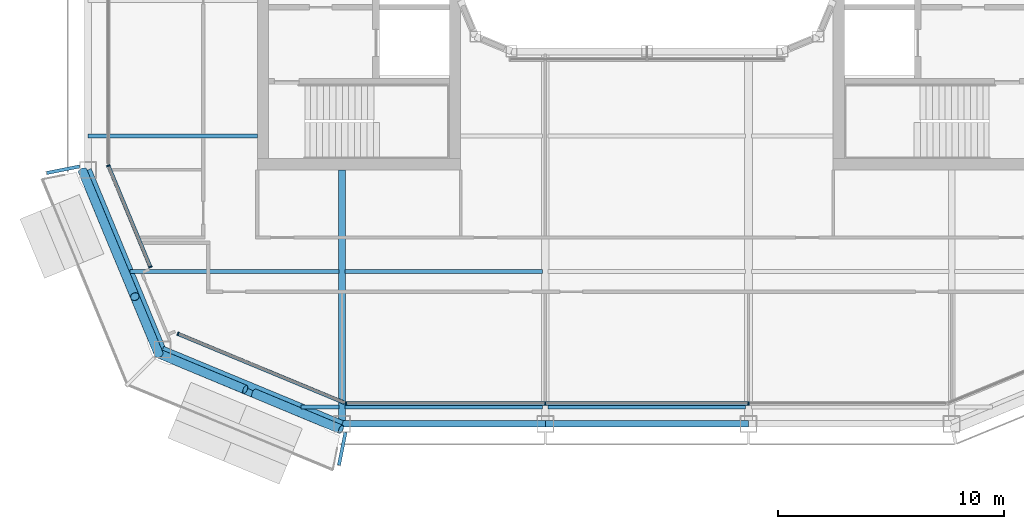
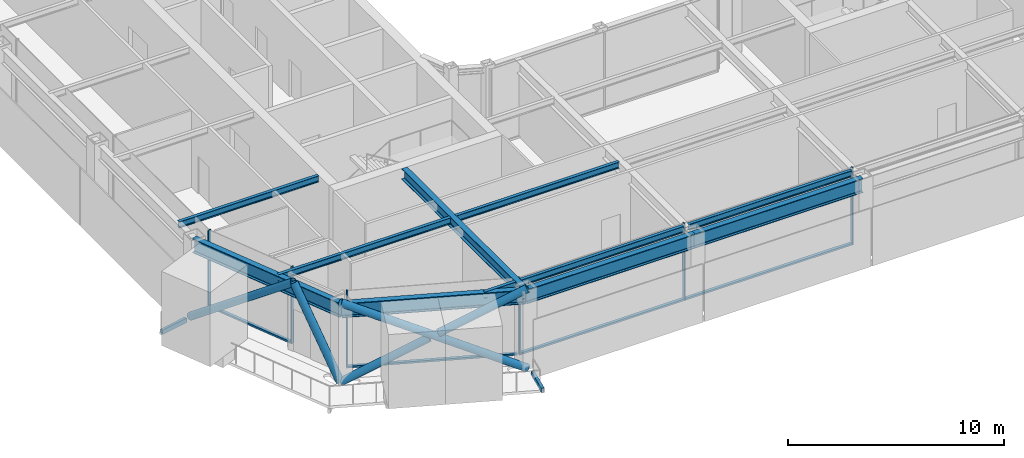
# One storey, part 2 of 20: 15 members, 13 beams, 3 elements without a shape of their own.
"""IFC4 building model written with IfcOpenShell, lengths in metres."""

from ifc_helpers import new_model, si_unit, direction, frame, origin, origin_2d, place, context, subcontext, project, spatial, rectangle, hollow_rectangle, hollow_circle, i_section, extrude, material, layer, layer_set, material_profile, profile_set, type_object, element, aggregate, save


model = new_model("IFC4")

# Units and contexts
model_context = context("Model", 3, precision=1e-05, world=origin(), true_north=direction((0.0, 1.0)))
body_context = subcontext(model_context, "Body", "Model", "MODEL_VIEW")
ifc_project = project(units=[si_unit("LENGTHUNIT", "METRE"), si_unit("AREAUNIT", "SQUARE_METRE"), si_unit("VOLUMEUNIT", "CUBIC_METRE"), si_unit("PLANEANGLEUNIT", "RADIAN"), si_unit("MASSUNIT", "GRAM", prefix="KILO")], contexts=[model_context])

# Site, building, storey
site_placement = place(None, origin())
site = spatial("IfcSite", under=ifc_project, at=site_placement, CompositionType="ELEMENT")
building_placement = place(site_placement, origin())
building = spatial("IfcBuilding", under=site, at=building_placement, Name="Siwar Civic Tower", CompositionType="ELEMENT")
storey_placement = place(building_placement, frame((0.0, 0.0, 316.699951171875)))
storey = spatial("IfcBuildingStorey", under=building, at=storey_placement, Name="L68", CompositionType="ELEMENT", Elevation=316.699951171875)

# Beams
ifc_material_1 = material(Name="Steel S355", Category="steel")
ifc_material_profile_1 = material_profile(ifc_material_1, hollow_rectangle(XDim=0.14990234375, YDim=0.25, WallThickness=0.010009765625, at=origin_2d()), Name="RHS250x150x10")
ifc_profile_set_1 = profile_set([ifc_material_profile_1], Name="Steel S355")
beam_type_1 = type_object("IfcBeamType", Name="ENV-BALCONY ARM", PredefinedType="BEAM", material=ifc_profile_set_1)
for number, where, z_axis, x_axis, name in (
    (1, (-25.125, -13.350341796875, -0.27490234375), (-0.980800841714, -0.195012073712, 0.0), (0.195012073712, -0.980800841714, 0.0), "Balcony cantilever beam SW 1"),
    (2, (-13.350341796875, -25.125, -0.27490234375), (-0.195012073712, -0.980800841714, 0.0), (0.980800841714, -0.195012073712, 0.0), "Balcony cantilever beam SW 3"),
):
    element("IfcBeam", number, at=place(storey_placement, frame(where, z_axis=z_axis, x_axis=x_axis)), inside=storey, type_object=beam_type_1, Name=name, PredefinedType="BEAM", context=body_context, shape_type="SweptSolid", body=[
        extrude(hollow_rectangle(XDim=0.14990234375, YDim=0.25, WallThickness=0.010009765625, at=origin_2d()), origin(), (0.0, 0.0, 1.0), 1.488525390625),
    ])

# Curtain wall, members
ifc_material_2 = material(Name="Aluminium and glass", Category="aluminium")
ifc_layer_1 = layer(ifc_material_2, 0.159912109375)
ifc_layer_set_1 = layer_set([ifc_layer_1], Name="Aluminium and glass")
curtain_wall_type_1 = type_object("IfcCurtainWallType", Name="ENV-CW-D", PredefinedType="NOTDEFINED", material=ifc_layer_set_1)
curtain_wall_1_placement = place(storey_placement, origin())
curtain_wall_1 = element("IfcCurtainWall", 3, at=curtain_wall_1_placement, inside=storey, type_object=curtain_wall_type_1, Name="Curtain wall D S", PredefinedType="NOTDEFINED")
ifc_material_3 = material(Name="Aluminium 6063-T6", Category="aluminium")
ifc_material_profile_2 = material_profile(ifc_material_3, rectangle(XDim=0.159912109375, YDim=0.06005859375, at=origin_2d()), Name="AL 160x60")
ifc_profile_set_2 = profile_set([ifc_material_profile_2], Name="Aluminium 6063-T6")
member_type_1 = type_object("IfcMemberType", Name="ENV-MULLION-D", PredefinedType="MULLION", material=ifc_profile_set_2)
member_1_placement = place(storey_placement, frame((-13.321044921875, -23.85009765625, 0.0), z_axis=(0.0, 0.0, 1.0), x_axis=(0.0, 1.0, 0.0)))
member_1 = element("IfcMember", 4, at=member_1_placement, type_object=member_type_1, Name="Mullion D S 1", PredefinedType="MULLION", context=body_context, shape_type="SweptSolid", body=[
    extrude(rectangle(XDim=0.159912109375, YDim=0.06005859375, at=origin_2d()), origin(), (0.0, 0.0, 1.0), 4.35009765625),
])
member_2_placement = place(storey_placement, frame((-4.5, -23.85009765625, 0.0), z_axis=(0.0, 0.0, 1.0), x_axis=(0.0, 1.0, 0.0)))
member_2 = element("IfcMember", 5, at=member_2_placement, type_object=member_type_1, Name="Mullion D S 2", PredefinedType="MULLION", context=body_context, shape_type="SweptSolid", body=[
    extrude(rectangle(XDim=0.159912109375, YDim=0.06005859375, at=origin_2d()), origin(), (0.0, 0.0, 1.0), 4.35009765625),
])
member_3_placement = place(storey_placement, frame((4.5, -23.85009765625, 0.0), z_axis=(0.0, 0.0, 1.0), x_axis=(0.0, 1.0, 0.0)))
member_3 = element("IfcMember", 6, at=member_3_placement, type_object=member_type_1, Name="Mullion D S 3", PredefinedType="MULLION", context=body_context, shape_type="SweptSolid", body=[
    extrude(rectangle(XDim=0.159912109375, YDim=0.06005859375, at=origin_2d()), origin(), (0.0, 0.0, 1.0), 4.35009765625),
])

ifc_material_4 = material(Name="Aluminium clad insulated panel", Category="aluminium")
ifc_layer_2 = layer(ifc_material_4, 0.159912109375)
ifc_layer_set_2 = layer_set([ifc_layer_2], Name="Aluminium clad insulated panel")
curtain_wall_type_2 = type_object("IfcCurtainWallType", Name="ENV-CW-DX", PredefinedType="NOTDEFINED", material=ifc_layer_set_2)
curtain_wall_2_placement = place(storey_placement, origin())
curtain_wall_2 = element("IfcCurtainWall", 7, at=curtain_wall_2_placement, inside=storey, type_object=curtain_wall_type_2, Name="Curtain wall D SW1", PredefinedType="NOTDEFINED")
member_4_placement = place(storey_placement, frame((-23.85009765625, -13.321044921875, 0.0), z_axis=(0.0, 0.0, 1.0), x_axis=(0.923879532511, 0.382683432365, 0.0)))
member_4 = element("IfcMember", 8, at=member_4_placement, type_object=member_type_1, Name="Mullion D SW1 1", PredefinedType="MULLION", context=body_context, shape_type="SweptSolid", body=[
    extrude(rectangle(XDim=0.159912109375, YDim=0.06005859375, at=origin_2d()), origin(), (0.0, 0.0, 1.0), 4.35009765625),
])
member_5_placement = place(storey_placement, frame((-21.9951171875, -17.799072265625, 0.0), z_axis=(0.0, 0.0, 1.0), x_axis=(0.923879532511, 0.382683432365, 0.0)))
member_5 = element("IfcMember", 9, at=member_5_placement, type_object=member_type_1, Name="Mullion D SW1 2", PredefinedType="MULLION", context=body_context, shape_type="SweptSolid", body=[
    extrude(rectangle(XDim=0.159912109375, YDim=0.06005859375, at=origin_2d()), origin(), (0.0, 0.0, 1.0), 4.35009765625),
])

# Curtain wall, member
curtain_wall_3_placement = place(storey_placement, origin())
curtain_wall_3 = element("IfcCurtainWall", 10, at=curtain_wall_3_placement, inside=storey, type_object=curtain_wall_type_2, Name="Curtain wall D SW2", PredefinedType="NOTDEFINED")
member_6_placement = place(storey_placement, frame((-20.76611328125, -20.76611328125, 0.0), z_axis=(0.0, 0.0, 1.0), x_axis=(0.382683432365, 0.923879532511, 0.0)))
member_6 = element("IfcMember", 11, at=member_6_placement, type_object=member_type_1, Name="Mullion D SW2 1", PredefinedType="MULLION", context=body_context, shape_type="SweptSolid", body=[
    extrude(rectangle(XDim=0.159912109375, YDim=0.06005859375, at=origin_2d()), origin(), (0.0, 0.0, 1.0), 4.35009765625),
])

# Member
ifc_material_5 = material(Name="Aluminium 6063-T6", Category="aluminium")
ifc_material_profile_3 = material_profile(ifc_material_5, rectangle(XDim=0.159912109375, YDim=0.10009765625, at=origin_2d()), Name="AL 160x100")
ifc_profile_set_3 = profile_set([ifc_material_profile_3], Name="Aluminium 6063-T6")
member_type_2 = type_object("IfcMemberType", Name="ENV-TRANSOM-D", PredefinedType="USERDEFINED", material=ifc_profile_set_3)
member_7_placement = place(storey_placement, frame((-13.291015625, -23.85009765625, 0.050048828125), z_axis=(1.0, 0.0, 0.0), x_axis=(0.0, 1.0, 0.0)))
member_7 = element("IfcMember", 12, at=member_7_placement, type_object=member_type_2, Name="Transom D S 1", ObjectType="TRANSOM", PredefinedType="USERDEFINED", context=body_context, shape_type="SweptSolid", body=[
    extrude(rectangle(XDim=0.159912109375, YDim=0.10009765625, at=origin_2d()), origin(), (0.0, 0.0, 1.0), 8.760986328125),
])

member_8_placement = place(storey_placement, frame((-4.469970703125, -23.85009765625, 0.050048828125), z_axis=(1.0, 0.0, 0.0), x_axis=(0.0, 1.0, 0.0)))
member_8 = element("IfcMember", 13, at=member_8_placement, type_object=member_type_2, Name="Transom D S 2", ObjectType="TRANSOM", PredefinedType="USERDEFINED", context=body_context, shape_type="SweptSolid", body=[
    extrude(rectangle(XDim=0.159912109375, YDim=0.10009765625, at=origin_2d()), origin(), (0.0, 0.0, 1.0), 8.93994140625),
])

aggregate(curtain_wall_1, [member_1, member_2, member_3, member_7, member_8])

member_9_placement = place(storey_placement, frame((-23.838623046875, -13.3486328125, 0.050048828125), z_axis=(0.382688094537, -0.923877601363, 0.0), x_axis=(0.923877601363, 0.382688094537, 0.0)))
member_9 = element("IfcMember", 14, at=member_9_placement, type_object=member_type_2, Name="Transom D SW1 1", ObjectType="TRANSOM", PredefinedType="USERDEFINED", context=body_context, shape_type="SweptSolid", body=[
    extrude(rectangle(XDim=0.159912109375, YDim=0.10009765625, at=origin_2d()), origin(), (0.0, 0.0, 1.0), 4.787353515625),
])

aggregate(curtain_wall_2, [member_4, member_5, member_9])

member_10_placement = place(storey_placement, frame((-20.738525390625, -20.777587890625, 0.050048828125), z_axis=(0.923883640343, -0.382673515031, 0.0), x_axis=(0.382673515031, 0.923883640343, 0.0)))
member_10 = element("IfcMember", 15, at=member_10_placement, type_object=member_type_2, Name="Transom D SW2 1", ObjectType="TRANSOM", PredefinedType="USERDEFINED", context=body_context, shape_type="SweptSolid", body=[
    extrude(rectangle(XDim=0.159912109375, YDim=0.10009765625, at=origin_2d()), origin(), (0.0, 0.0, 1.0), 7.930908203125),
])

aggregate(curtain_wall_3, [member_6, member_10])

# Members
ifc_material_6 = material(Name="Steel S355", Category="steel")
ifc_material_profile_4 = material_profile(ifc_material_6, hollow_circle(Radius=0.203125, WallThickness=0.01611328125, at=origin_2d()), Name="CHS406.4x16")
ifc_profile_set_4 = profile_set([ifc_material_profile_4], Name="Steel S355")
member_type_3 = type_object("IfcMemberType", Name="STR-BR-CHS406.4x16", PredefinedType="BRACE", material=ifc_profile_set_4)
member_11_placement = place(storey_placement, frame((-13.548828125, -24.9951171875, 0.0), z_axis=(-0.821142553604, 0.341671493852, 0.457149315816), x_axis=(-0.384163874976, -0.923264922524, 0.0)))
element("IfcMember", 16, at=member_11_placement, inside=storey, type_object=member_type_3, Name="L68/brc/DSW1-7-0-1", PredefinedType="BRACE", context=body_context, shape_type="SweptSolid", body=[
    extrude(hollow_circle(Radius=0.203125, WallThickness=0.01611328125, at=origin_2d()), origin(), (0.0, 0.0, 1.0), 9.843505859375),
])
member_12_placement = place(storey_placement, frame((-21.6318359375, -21.6318359375, 0.0), z_axis=(0.821147096886, -0.341644380467, 0.457161418507), x_axis=(0.38413607648, 0.923276488787, 0.0)))
element("IfcMember", 17, at=member_12_placement, inside=storey, type_object=member_type_3, Name="L68/brc/DSW1-7-0-2", PredefinedType="BRACE", context=body_context, shape_type="SweptSolid", body=[
    extrude(hollow_circle(Radius=0.203125, WallThickness=0.01611328125, at=origin_2d()), origin(), (0.0, 0.0, 1.0), 4.677001953125),
])
member_13_placement = place(storey_placement, frame((-17.38916015625, -23.397216796875, 2.362060546875), z_axis=(0.821149689876, -0.341667178655, 0.457139722456), x_axis=(0.384156893273, 0.923267827529, 0.0)))
element("IfcMember", 18, at=member_13_placement, inside=storey, type_object=member_type_3, Name="L68/brc/DSW1-7-0-3", PredefinedType="BRACE", context=body_context, shape_type="SweptSolid", body=[
    extrude(hollow_circle(Radius=0.203125, WallThickness=0.01611328125, at=origin_2d()), origin(), (0.0, 0.0, 1.0), 4.6767578125),
])
member_14_placement = place(storey_placement, frame((-24.9951171875, -13.548828125, 0.0), z_axis=(0.307903068035, -0.739973158344, 0.598026275029), x_axis=(0.923262455747, 0.384169803352, 0.0)))
element("IfcMember", 19, at=member_14_placement, inside=storey, type_object=member_type_3, Name="L68/brc/DSW1-7-0-0", PredefinedType="BRACE", context=body_context, shape_type="SweptSolid", body=[
    extrude(hollow_circle(Radius=0.203125, WallThickness=0.01611328125, at=origin_2d()), origin(), (0.0, 0.0, 1.0), 7.524658203125),
])
member_15_placement = place(storey_placement, frame((-21.6318359375, -21.6318359375, 0.0), z_axis=(-0.198925611165, 0.478099094869, 0.855482236349), x_axis=(-0.92327038402, -0.384150749045, 0.0)))
element("IfcMember", 20, at=member_15_placement, inside=storey, type_object=member_type_3, Name="L68/brc/DSW1-7-0-6", PredefinedType="BRACE", context=body_context, shape_type="SweptSolid", body=[
    extrude(hollow_circle(Radius=0.203125, WallThickness=0.01611328125, at=origin_2d()), origin(), (0.0, 0.0, 1.0), 5.26025390625),
])

# Beams
ifc_material_7 = material(Name="Steel S355", Category="steel")
ifc_material_profile_5 = material_profile(ifc_material_7, i_section(OverallWidth=0.169921875, OverallDepth=0.360107421875, WebThickness=0.008056640625, FlangeThickness=0.0126953125, FilletRadius=0.01806640625, at=origin_2d()), Name="IPE360")
ifc_profile_set_5 = profile_set([ifc_material_profile_5], Name="Steel S355")
beam_type_2 = type_object("IfcBeamType", Name="STR-FB-IPE360", PredefinedType="JOIST", material=ifc_profile_set_5)
beam_1_placement = place(storey_placement, frame((-15.310546875, -24.0, 4.170166015625), z_axis=(1.0, 0.0, 0.0), x_axis=(0.0, 1.0, 0.0)))
element("IfcBeam", 21, at=beam_1_placement, inside=storey, type_object=beam_type_2, Name="L68/bm/F001", PredefinedType="JOIST", context=body_context, shape_type="SweptSolid", body=[
    extrude(i_section(OverallWidth=0.169921875, OverallDepth=0.360107421875, WebThickness=0.008056640625, FlangeThickness=0.0126953125, FilletRadius=0.01806640625, at=origin_2d()), origin(), (0.0, 0.0, 1.0), 1.6806640625),
])
for number, where, z_axis, x_axis, name in (
    (22, (-13.3701171875, -24.0, 4.170166015625), (1.0, 0.0, 0.0), (0.0, 1.0, 0.0), "L68/bm/F002"),
    (23, (-4.3701171875, -24.0, 4.170166015625), (1.0, 0.0, 0.0), (0.0, 1.0, 0.0), "L68/bm/F003"),
):
    element("IfcBeam", number, at=place(storey_placement, frame(where, z_axis=z_axis, x_axis=x_axis)), inside=storey, type_object=beam_type_2, Name=name, PredefinedType="JOIST", context=body_context, shape_type="SweptSolid", body=[
        extrude(i_section(OverallWidth=0.169921875, OverallDepth=0.360107421875, WebThickness=0.008056640625, FlangeThickness=0.0126953125, FilletRadius=0.01806640625, at=origin_2d()), origin(), (0.0, 0.0, 1.0), 8.740234375),
    ])
beam_2_placement = place(storey_placement, frame((-22.885986328125, -18.0, 4.170166015625), z_axis=(1.0, 0.0, 0.0), x_axis=(0.0, 1.0, 0.0)))
element("IfcBeam", 24, at=beam_2_placement, inside=storey, type_object=beam_type_2, Name="L68/bm/F006", PredefinedType="JOIST", context=body_context, shape_type="SweptSolid", body=[
    extrude(i_section(OverallWidth=0.169921875, OverallDepth=0.360107421875, WebThickness=0.008056640625, FlangeThickness=0.0126953125, FilletRadius=0.01806640625, at=origin_2d()), origin(), (0.0, 0.0, 1.0), 9.256103515625),
])
beam_3_placement = place(storey_placement, frame((-13.3701171875, -18.0, 4.170166015625), z_axis=(1.0, 0.0, 0.0), x_axis=(0.0, 1.0, 0.0)))
element("IfcBeam", 25, at=beam_3_placement, inside=storey, type_object=beam_type_2, Name="L68/bm/F007", PredefinedType="JOIST", context=body_context, shape_type="SweptSolid", body=[
    extrude(i_section(OverallWidth=0.169921875, OverallDepth=0.360107421875, WebThickness=0.008056640625, FlangeThickness=0.0126953125, FilletRadius=0.01806640625, at=origin_2d()), origin(), (0.0, 0.0, 1.0), 8.740234375),
])
beam_4_placement = place(storey_placement, frame((-24.75, -12.0, 4.170166015625), z_axis=(1.0, 0.0, 0.0), x_axis=(0.0, 1.0, 0.0)))
element("IfcBeam", 26, at=beam_4_placement, inside=storey, type_object=beam_type_2, Name="L68/bm/F011", PredefinedType="JOIST", context=body_context, shape_type="SweptSolid", body=[
    extrude(i_section(OverallWidth=0.169921875, OverallDepth=0.360107421875, WebThickness=0.008056640625, FlangeThickness=0.0126953125, FilletRadius=0.01806640625, at=origin_2d()), origin(), (0.0, 0.0, 1.0), 7.5),
])
ifc_material_8 = material(Name="Steel S355", Category="steel")
ifc_material_profile_6 = material_profile(ifc_material_8, i_section(OverallWidth=0.300048828125, OverallDepth=0.60009765625, WebThickness=0.015380859375, FlangeThickness=0.030029296875, FilletRadius=0.027099609375, at=origin_2d()), Name="HEB600")
ifc_profile_set_6 = profile_set([ifc_material_profile_6], Name="Steel S355")
beam_type_3 = type_object("IfcBeamType", Name="STR-PG-HEB600", PredefinedType="BEAM", material=ifc_profile_set_6)
beam_5_placement = place(storey_placement, frame((-13.5, -24.75, 4.050048828125), z_axis=(0.0, 1.0, 0.0), x_axis=(-1.0, 0.0, 0.0)))
element("IfcBeam", 27, at=beam_5_placement, inside=storey, type_object=beam_type_3, Name="L68/bm/G01", PredefinedType="BEAM", context=body_context, shape_type="SweptSolid", body=[
    extrude(i_section(OverallWidth=0.300048828125, OverallDepth=0.60009765625, WebThickness=0.015380859375, FlangeThickness=0.030029296875, FilletRadius=0.027099609375, at=origin_2d()), origin(), (0.0, 0.0, 1.0), 11.25),
])
ifc_material_9 = material(Name="Steel S355", Category="steel")
ifc_material_profile_7 = material_profile(ifc_material_9, i_section(OverallWidth=0.300048828125, OverallDepth=0.800048828125, WebThickness=0.017578125, FlangeThickness=0.032958984375, FilletRadius=0.030029296875, at=origin_2d()), Name="HEB800")
ifc_profile_set_7 = profile_set([ifc_material_profile_7], Name="Steel S355")
beam_type_4 = type_object("IfcBeamType", Name="STR-SB-HEB800", PredefinedType="BEAM", material=ifc_profile_set_7)
for number, where, z_axis, x_axis, name in (
    (28, (-13.5, -24.75, 3.949951171875), (1.0, 0.0, 0.0), (0.0, 1.0, 0.0), "L68/bm/SS-0"),
    (29, (-4.5, -24.75, 3.949951171875), (1.0, 0.0, 0.0), (0.0, 1.0, 0.0), "L68/bm/SS-1"),
):
    element("IfcBeam", number, at=place(storey_placement, frame(where, z_axis=z_axis, x_axis=x_axis)), inside=storey, type_object=beam_type_4, Name=name, PredefinedType="BEAM", context=body_context, shape_type="SweptSolid", body=[
        extrude(i_section(OverallWidth=0.300048828125, OverallDepth=0.800048828125, WebThickness=0.017578125, FlangeThickness=0.032958984375, FilletRadius=0.030029296875, at=origin_2d()), origin(), (0.0, 0.0, 1.0), 9.0),
    ])
for number, where, z_axis, x_axis, name in (
    (30, (-24.75, -13.5, 3.949951171875), (0.382699877515, -0.923872720536, 0.0), (0.923872720536, 0.382699877515, 0.0), "L68/bm/SSW1-0"),
    (31, (-21.454833984375, -21.454833984375, 3.949951171875), (0.923872720536, -0.382699877515, 0.0), (0.382699877515, 0.923872720536, 0.0), "L68/bm/SSW2-0"),
):
    element("IfcBeam", number, at=place(storey_placement, frame(where, z_axis=z_axis, x_axis=x_axis)), inside=storey, type_object=beam_type_4, Name=name, PredefinedType="BEAM", context=body_context, shape_type="SweptSolid", body=[
        extrude(i_section(OverallWidth=0.300048828125, OverallDepth=0.800048828125, WebThickness=0.017578125, FlangeThickness=0.032958984375, FilletRadius=0.030029296875, at=origin_2d()), origin(), (0.0, 0.0, 1.0), 8.6103515625),
    ])

save(model, "model.ifc")
